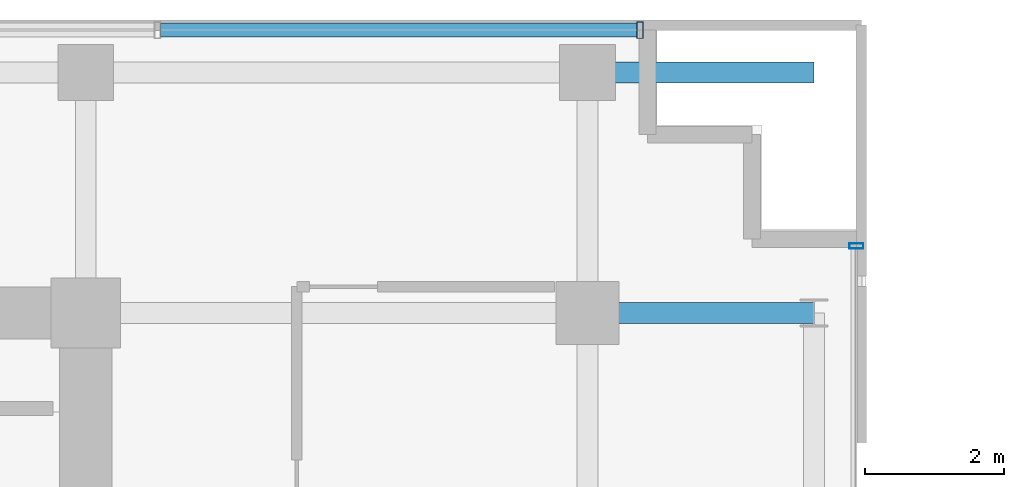
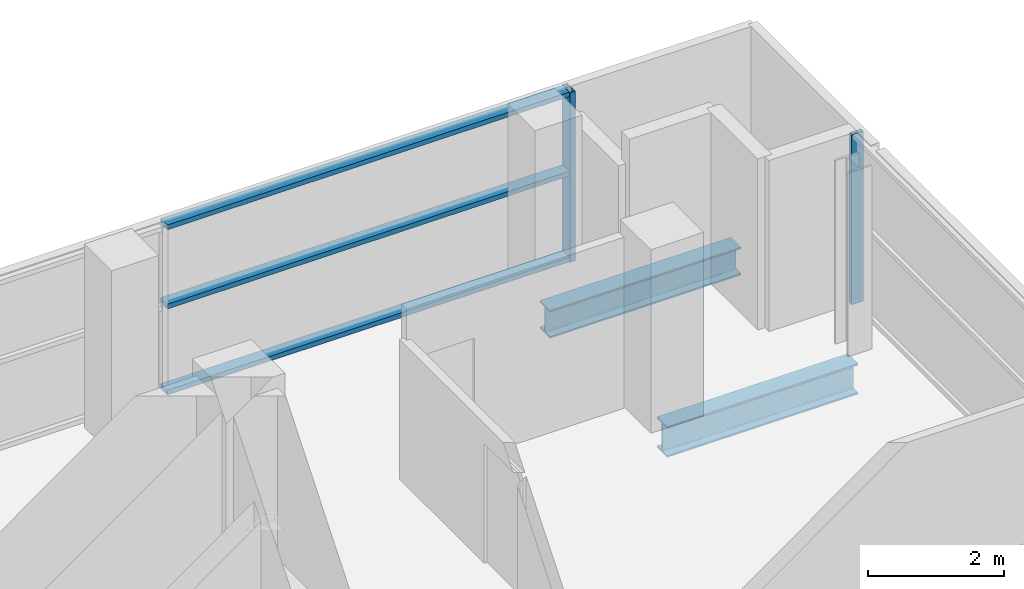
# One storey, part 17 of 25: 5 members, 2 beams, 2 elements without a shape of their own.
"""IFC4 building model written with IfcOpenShell, lengths in metres."""

from ifc_helpers import new_model, si_unit, direction, frame, origin, origin_2d, place, context, subcontext, project, spatial, hollow_rectangle, i_section, extrude, source, transform, mapped, material, layer, layer_set, material_profile, profile_set, type_object, element, aggregate, save


model = new_model("IFC4")

# Units and contexts
model_context = context("Model", 3, precision=1e-05, world=origin(), true_north=direction((0.0, 1.0)))
body_context = subcontext(model_context, "Body", "Model", "MODEL_VIEW")
ifc_project = project(units=[si_unit("LENGTHUNIT", "METRE"), si_unit("AREAUNIT", "SQUARE_METRE"), si_unit("VOLUMEUNIT", "CUBIC_METRE"), si_unit("PLANEANGLEUNIT", "RADIAN"), si_unit("MASSUNIT", "GRAM", prefix="KILO")], contexts=[model_context])

# Site, building, storey
site_placement = place(None, origin())
site = spatial("IfcSite", under=ifc_project, at=site_placement, CompositionType="ELEMENT")
building_placement = place(site_placement, origin())
building = spatial("IfcBuilding", under=site, at=building_placement, Name="Zarnakvel Exchange Tower", CompositionType="ELEMENT")
storey_placement = place(building_placement, frame((0.0, 0.0, 93.39990234375)))
storey = spatial("IfcBuildingStorey", under=building, at=storey_placement, Name="L25", CompositionType="ELEMENT", Elevation=93.39990234375)

# Beams
ifc_material_1 = material(Name="Steel S355", Category="steel")
ifc_material_profile_1 = material_profile(ifc_material_1, i_section(OverallWidth=0.300048828125, OverallDepth=0.550048828125, WebThickness=0.014892578125, FlangeThickness=0.029052734375, FilletRadius=0.027099609375, at=origin_2d()))
ifc_profile_set_1 = profile_set([ifc_material_profile_1], Name="Steel S355")
beam_type_1 = type_object("IfcBeamType", Name="G-05", PredefinedType="BEAM", material=ifc_profile_set_1)
beam_1_placement = place(storey_placement, frame((21.60009765625, 13.5, -0.5), z_axis=(1.0, 0.0, 0.0), x_axis=(0.0, 1.0, 0.0)))
element("IfcBeam", 1, at=beam_1_placement, inside=storey, type_object=beam_type_1, Name="L25 Tower E-W Frame Beam", PredefinedType="BEAM", context=body_context, shape_type="SweptSolid", body=[
    extrude(i_section(OverallWidth=0.300048828125, OverallDepth=0.550048828125, WebThickness=0.014892578125, FlangeThickness=0.029052734375, FilletRadius=0.027099609375, at=origin_2d()), origin(), (0.0, 0.0, 1.0), 3.25),
])
ifc_material_profile_2 = material_profile(ifc_material_1, i_section(OverallWidth=0.300048828125, OverallDepth=0.5, WebThickness=0.014404296875, FlangeThickness=0.028076171875, FilletRadius=0.027099609375, at=origin_2d()))
ifc_profile_set_2 = profile_set([ifc_material_profile_2], Name="Steel S355")
beam_type_2 = type_object("IfcBeamType", Name="SP-02", PredefinedType="SPANDREL", material=ifc_profile_set_2)
beam_2_placement = place(storey_placement, frame((21.60009765625, 16.949951171875, -0.474853515625), z_axis=(1.0, 0.0, 0.0), x_axis=(0.0, 1.0, 0.0)))
element("IfcBeam", 2, at=beam_2_placement, inside=storey, type_object=beam_type_2, Name="L25 North-East Corner Spandrel", PredefinedType="SPANDREL", context=body_context, shape_type="SweptSolid", body=[
    extrude(i_section(OverallWidth=0.300048828125, OverallDepth=0.5, WebThickness=0.014404296875, FlangeThickness=0.028076171875, FilletRadius=0.027099609375, at=origin_2d()), origin(), (0.0, 0.0, 1.0), 3.25),
])

# Curtain wall, member
ifc_material_2 = material(Name="Architectural Bronze Anodised Aluminium", Category="aluminium")
ifc_layer_1 = layer(ifc_material_2, 0.239990234375)
ifc_layer_set_1 = layer_set([ifc_layer_1], Name="Architectural Bronze Anodised Aluminium")
curtain_wall_type_1 = type_object("IfcCurtainWallType", Name="CW-02", PredefinedType="NOTDEFINED", material=ifc_layer_set_1)
curtain_wall_1_placement = place(storey_placement, origin())
curtain_wall_1 = element("IfcCurtainWall", 3, at=curtain_wall_1_placement, inside=storey, type_object=curtain_wall_type_1, Name="L25 Curtain Wall CW-L25-N1 (CW-02)", PredefinedType="NOTDEFINED")
ifc_material_profile_3 = material_profile(ifc_material_2, hollow_rectangle(XDim=0.239990234375, YDim=0.090087890625, WallThickness=0.006103515625, at=origin_2d()))
ifc_profile_set_3 = profile_set([ifc_material_profile_3], Name="Architectural Bronze Anodised Aluminium")
member_type_1 = type_object("IfcMemberType", Name="CWM-02", PredefinedType="MULLION", material=ifc_profile_set_3)
shared_shape_1 = source(origin(), body_context, "Body", "SweptSolid", [
    extrude(hollow_rectangle(XDim=0.239990234375, YDim=0.090087890625, WallThickness=0.006103515625, at=origin_2d()), origin(), (0.0, 0.0, 1.0), 3.05517578125),
])
member_1_placement = place(storey_placement, frame((22.35498046875, 17.56005859375, 0.0), z_axis=(0.0, 0.0, 1.0), x_axis=(0.0, 1.0, 0.0)))
member_1 = element("IfcMember", 4, at=member_1_placement, type_object=member_type_1, Name="CW-02 mullion 8", PredefinedType="MULLION", context=body_context, shape_type="MappedRepresentation", body=[
    mapped(shared_shape_1, transform((0.0, 0.0, 0.0), x_axis=(1.0, 0.0, 0.0), y_axis=(0.0, 1.0, 0.0), z_axis=(0.0, 0.0, 1.0), scale=1.0)),
])

ifc_layer_2 = layer(ifc_material_2, 0.199951171875)
ifc_layer_set_2 = layer_set([ifc_layer_2], Name="Architectural Bronze Anodised Aluminium")
curtain_wall_type_2 = type_object("IfcCurtainWallType", Name="CW-04", PredefinedType="NOTDEFINED", material=ifc_layer_set_2)
curtain_wall_2_placement = place(storey_placement, origin())
curtain_wall_2 = element("IfcCurtainWall", 5, at=curtain_wall_2_placement, inside=storey, type_object=curtain_wall_type_2, Name="L25 Curtain Wall CW-L25-EN (CW-04)", PredefinedType="NOTDEFINED")
ifc_material_profile_4 = material_profile(ifc_material_2, hollow_rectangle(XDim=0.199951171875, YDim=0.074951171875, WallThickness=0.0048828125, at=origin_2d()))
ifc_profile_set_4 = profile_set([ifc_material_profile_4], Name="Architectural Bronze Anodised Aluminium")
member_type_2 = type_object("IfcMemberType", Name="CWM-04", PredefinedType="MULLION", material=ifc_profile_set_4)
shared_shape_2 = source(origin(), body_context, "Body", "SweptSolid", [
    extrude(hollow_rectangle(XDim=0.199951171875, YDim=0.074951171875, WallThickness=0.0048828125, at=origin_2d()), origin(), (0.0, 0.0, 1.0), 3.05517578125),
])
member_2_placement = place(storey_placement, frame((25.4599609375, 14.46240234375, 0.0), z_axis=(0.0, 0.0, 1.0), x_axis=(-1.0, 0.0, 0.0)))
member_2 = element("IfcMember", 6, at=member_2_placement, type_object=member_type_2, Name="CW-04 mullion 3", PredefinedType="MULLION", context=body_context, shape_type="MappedRepresentation", body=[
    mapped(shared_shape_2, transform((0.0, 0.0, 0.0), x_axis=(1.0, 0.0, 0.0), y_axis=(0.0, 1.0, 0.0), z_axis=(0.0, 0.0, 1.0), scale=1.0)),
])
aggregate(curtain_wall_2, [member_2])

# Member
ifc_material_profile_5 = material_profile(ifc_material_2, hollow_rectangle(XDim=0.199951171875, YDim=0.0849609375, WallThickness=0.0048828125, at=origin_2d()))
ifc_profile_set_5 = profile_set([ifc_material_profile_5], Name="Architectural Bronze Anodised Aluminium")
member_type_3 = type_object("IfcMemberType", Name="CWT-02", PredefinedType="USERDEFINED", material=ifc_profile_set_5)
shared_shape_3 = source(origin(), body_context, "Body", "SweptSolid", [
    extrude(hollow_rectangle(XDim=0.199951171875, YDim=0.0849609375, WallThickness=0.0048828125, at=origin_2d()), origin(), (0.0, 0.0, 1.0), 6.83642578125),
])
member_3_placement = place(storey_placement, frame((15.4736328125, 17.56005859375, 0.04248046875), z_axis=(1.0, 0.0, 0.0), x_axis=(0.0, 1.0, 0.0)))
member_3 = element("IfcMember", 7, at=member_3_placement, type_object=member_type_3, Name="CW-02 transom 7.1", ObjectType="TRANSOM", PredefinedType="USERDEFINED", context=body_context, shape_type="MappedRepresentation", body=[
    mapped(shared_shape_3, transform((0.0, 0.0, 0.0), x_axis=(1.0, 0.0, 0.0), y_axis=(0.0, 1.0, 0.0), z_axis=(0.0, 0.0, 1.0), scale=1.0)),
])

member_4_placement = place(storey_placement, frame((15.4736328125, 17.56005859375, 1.588623046875), z_axis=(1.0, 0.0, 0.0), x_axis=(0.0, 1.0, 0.0)))
member_4 = element("IfcMember", 8, at=member_4_placement, type_object=member_type_3, Name="CW-02 transom 7.2", ObjectType="TRANSOM", PredefinedType="USERDEFINED", context=body_context, shape_type="MappedRepresentation", body=[
    mapped(shared_shape_3, transform((0.0, 0.0, 0.0), x_axis=(1.0, 0.0, 0.0), y_axis=(0.0, 1.0, 0.0), z_axis=(0.0, 0.0, 1.0), scale=1.0)),
])

member_5_placement = place(storey_placement, frame((15.4736328125, 17.56005859375, 3.0126953125), z_axis=(1.0, 0.0, 0.0), x_axis=(0.0, 1.0, 0.0)))
member_5 = element("IfcMember", 9, at=member_5_placement, type_object=member_type_3, Name="CW-02 transom 7.3", ObjectType="TRANSOM", PredefinedType="USERDEFINED", context=body_context, shape_type="MappedRepresentation", body=[
    mapped(shared_shape_3, transform((0.0, 0.0, 0.0), x_axis=(1.0, 0.0, 0.0), y_axis=(0.0, 1.0, 0.0), z_axis=(0.0, 0.0, 1.0), scale=1.0)),
])

aggregate(curtain_wall_1, [member_1, member_3, member_4, member_5])

save(model, "model.ifc")
